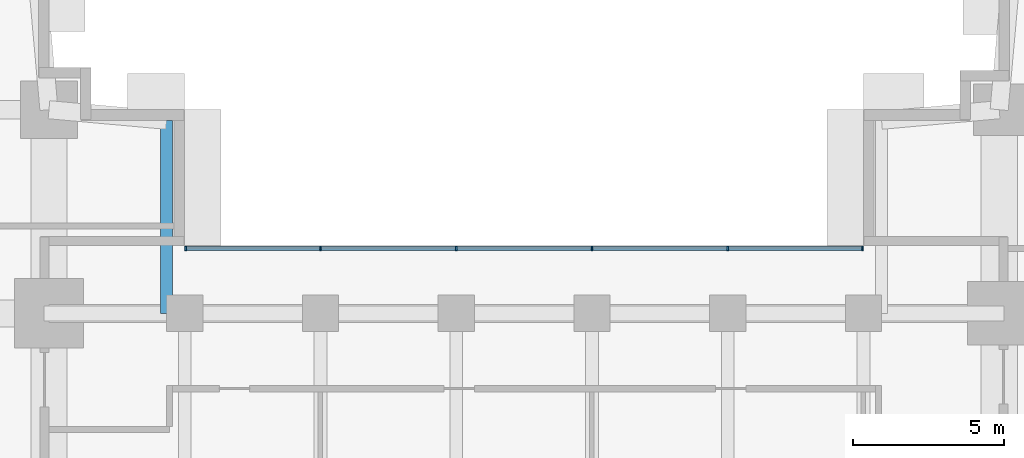
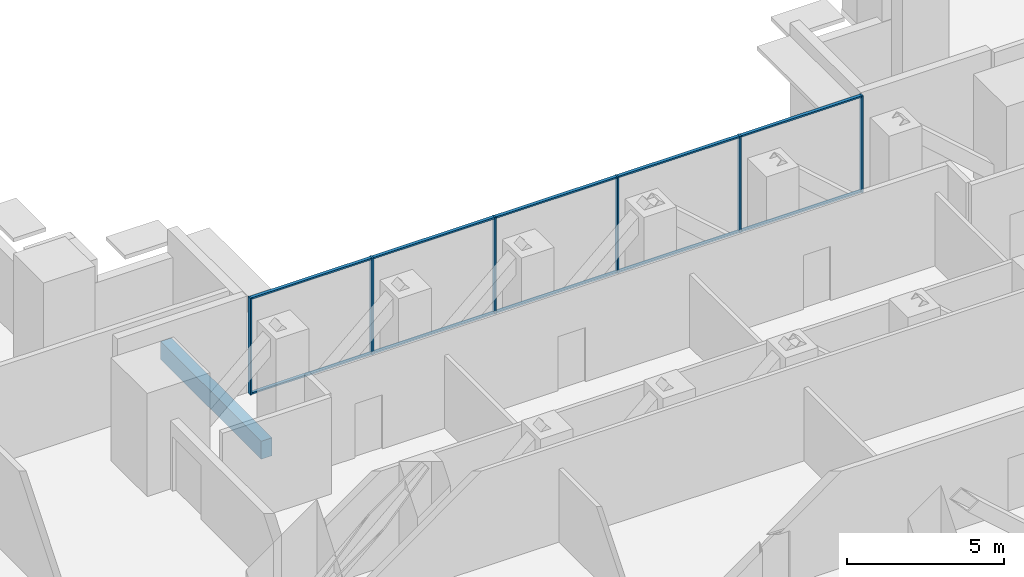
# One storey, part 4 of 16: 16 members, 1 beam, 1 element without a shape of its own.
"""IFC4 building model written with IfcOpenShell, lengths in metres."""

from ifc_helpers import new_model, si_unit, direction, frame, origin, origin_2d, place, context, subcontext, project, spatial, rectangle, extrude, material, layer, layer_set, material_profile, profile_set, type_object, element, aggregate, save


model = new_model("IFC4")

# Units and contexts
model_context = context("Model", 3, precision=1e-05, world=origin(), true_north=direction((0.0, 1.0)))
body_context = subcontext(model_context, "Body", "Model", "MODEL_VIEW")
ifc_project = project(units=[si_unit("LENGTHUNIT", "METRE"), si_unit("AREAUNIT", "SQUARE_METRE"), si_unit("VOLUMEUNIT", "CUBIC_METRE"), si_unit("PLANEANGLEUNIT", "RADIAN"), si_unit("MASSUNIT", "GRAM", prefix="KILO")], contexts=[model_context])

# Site, building, storey
site_placement = place(None, origin())
site = spatial("IfcSite", under=ifc_project, at=site_placement, CompositionType="ELEMENT")
building_placement = place(site_placement, origin())
building = spatial("IfcBuilding", under=site, at=building_placement, Name="Namib Vertical Campus", CompositionType="ELEMENT")
storey_placement = place(building_placement, frame((0.0, 0.0, 121.0)))
storey = spatial("IfcBuildingStorey", under=building, at=storey_placement, Name="L28", CompositionType="ELEMENT", Elevation=121.0)

# Curtain wall, members
ifc_material_1 = material(Name="Black aluminium curtain wall", Category="aluminium")
ifc_layer = layer(ifc_material_1, 0.199951171875)
ifc_layer_set = layer_set([ifc_layer], Name="Bridge curtain wall CW-BR")
curtain_wall_type = type_object("IfcCurtainWallType", Name="Bridge curtain wall CW-BR", PredefinedType="USERDEFINED", material=ifc_layer_set)
curtain_wall_placement = place(storey_placement, origin())
curtain_wall = element("IfcCurtainWall", 1, at=curtain_wall_placement, inside=storey, type_object=curtain_wall_type, Name="Curtain wall CW-BR L28 N", ObjectType="CURTAIN WALL", PredefinedType="USERDEFINED")
ifc_material_2 = material(Name="Black anodised aluminium", Category="aluminium")
ifc_material_profile_1 = material_profile(ifc_material_2, rectangle(XDim=0.06005859375, YDim=0.159912109375, at=origin_2d()))
ifc_profile_set_1 = profile_set([ifc_material_profile_1], Name="Black anodised aluminium")
member_type_1 = type_object("IfcMemberType", Name="Curtain wall mullion 60x160", PredefinedType="MULLION", material=ifc_profile_set_1)
member_1_placement = place(storey_placement, frame((62.969970703125, 31.39990234375, 0.0), z_axis=(0.0, 0.0, 1.0), x_axis=(-1.0, 0.0, 0.0)))
member_1 = element("IfcMember", 2, at=member_1_placement, type_object=member_type_1, Name="CW-BR mullion 1", PredefinedType="MULLION", context=body_context, shape_type="SweptSolid", body=[
    extrude(rectangle(XDim=0.06005859375, YDim=0.159912109375, at=origin_2d()), origin(), (0.0, 0.0, 1.0), 3.75),
])
member_2_placement = place(storey_placement, frame((58.5, 31.39990234375, 0.0), z_axis=(0.0, 0.0, 1.0), x_axis=(-1.0, 0.0, 0.0)))
member_2 = element("IfcMember", 3, at=member_2_placement, type_object=member_type_1, Name="CW-BR mullion 2", PredefinedType="MULLION", context=body_context, shape_type="SweptSolid", body=[
    extrude(rectangle(XDim=0.06005859375, YDim=0.159912109375, at=origin_2d()), origin(), (0.0, 0.0, 1.0), 3.75),
])
member_3_placement = place(storey_placement, frame((54.0, 31.39990234375, 0.0), z_axis=(0.0, 0.0, 1.0), x_axis=(-1.0, 0.0, 0.0)))
member_3 = element("IfcMember", 4, at=member_3_placement, type_object=member_type_1, Name="CW-BR mullion 3", PredefinedType="MULLION", context=body_context, shape_type="SweptSolid", body=[
    extrude(rectangle(XDim=0.06005859375, YDim=0.159912109375, at=origin_2d()), origin(), (0.0, 0.0, 1.0), 3.75),
])
member_4_placement = place(storey_placement, frame((49.5, 31.39990234375, 0.0), z_axis=(0.0, 0.0, 1.0), x_axis=(-1.0, 0.0, 0.0)))
member_4 = element("IfcMember", 5, at=member_4_placement, type_object=member_type_1, Name="CW-BR mullion 4", PredefinedType="MULLION", context=body_context, shape_type="SweptSolid", body=[
    extrude(rectangle(XDim=0.06005859375, YDim=0.159912109375, at=origin_2d()), origin(), (0.0, 0.0, 1.0), 3.75),
])
member_5_placement = place(storey_placement, frame((45.0, 31.39990234375, 0.0), z_axis=(0.0, 0.0, 1.0), x_axis=(-1.0, 0.0, 0.0)))
member_5 = element("IfcMember", 6, at=member_5_placement, type_object=member_type_1, Name="CW-BR mullion 5", PredefinedType="MULLION", context=body_context, shape_type="SweptSolid", body=[
    extrude(rectangle(XDim=0.06005859375, YDim=0.159912109375, at=origin_2d()), origin(), (0.0, 0.0, 1.0), 3.75),
])
member_6_placement = place(storey_placement, frame((40.530029296875, 31.39990234375, 0.0), z_axis=(0.0, 0.0, 1.0), x_axis=(-1.0, 0.0, 0.0)))
member_6 = element("IfcMember", 7, at=member_6_placement, type_object=member_type_1, Name="CW-BR mullion 6", PredefinedType="MULLION", context=body_context, shape_type="SweptSolid", body=[
    extrude(rectangle(XDim=0.06005859375, YDim=0.159912109375, at=origin_2d()), origin(), (0.0, 0.0, 1.0), 3.75),
])
ifc_material_3 = material(Name="Black anodised aluminium", Category="aluminium")
ifc_material_profile_2 = material_profile(ifc_material_3, rectangle(XDim=0.06005859375, YDim=0.1201171875, at=origin_2d()))
ifc_profile_set_2 = profile_set([ifc_material_profile_2], Name="Black anodised aluminium")
member_type_2 = type_object("IfcMemberType", Name="Curtain wall transom 60x120", PredefinedType="USERDEFINED", material=ifc_profile_set_2)
member_7_placement = place(storey_placement, frame((62.93994140625, 31.39990234375, 0.030029296875), z_axis=(-1.0, 0.0, 0.0), x_axis=(0.0, 0.0, 1.0)))
member_7 = element("IfcMember", 8, at=member_7_placement, type_object=member_type_2, Name="CW-BR transom 1.1", ObjectType="TRANSOM", PredefinedType="USERDEFINED", context=body_context, shape_type="SweptSolid", body=[
    extrude(rectangle(XDim=0.06005859375, YDim=0.1201171875, at=origin_2d()), origin(), (0.0, 0.0, 1.0), 4.409912109375),
])
member_8_placement = place(storey_placement, frame((62.93994140625, 31.39990234375, 3.719970703125), z_axis=(-1.0, 0.0, 0.0), x_axis=(0.0, 0.0, 1.0)))
member_8 = element("IfcMember", 9, at=member_8_placement, type_object=member_type_2, Name="CW-BR transom 1.2", ObjectType="TRANSOM", PredefinedType="USERDEFINED", context=body_context, shape_type="SweptSolid", body=[
    extrude(rectangle(XDim=0.06005859375, YDim=0.1201171875, at=origin_2d()), origin(), (0.0, 0.0, 1.0), 4.409912109375),
])
member_9_placement = place(storey_placement, frame((58.469970703125, 31.39990234375, 0.030029296875), z_axis=(-1.0, 0.0, 0.0), x_axis=(0.0, 0.0, 1.0)))
member_9 = element("IfcMember", 10, at=member_9_placement, type_object=member_type_2, Name="CW-BR transom 2.1", ObjectType="TRANSOM", PredefinedType="USERDEFINED", context=body_context, shape_type="SweptSolid", body=[
    extrude(rectangle(XDim=0.06005859375, YDim=0.1201171875, at=origin_2d()), origin(), (0.0, 0.0, 1.0), 4.43994140625),
])
member_10_placement = place(storey_placement, frame((58.469970703125, 31.39990234375, 3.719970703125), z_axis=(-1.0, 0.0, 0.0), x_axis=(0.0, 0.0, 1.0)))
member_10 = element("IfcMember", 11, at=member_10_placement, type_object=member_type_2, Name="CW-BR transom 2.2", ObjectType="TRANSOM", PredefinedType="USERDEFINED", context=body_context, shape_type="SweptSolid", body=[
    extrude(rectangle(XDim=0.06005859375, YDim=0.1201171875, at=origin_2d()), origin(), (0.0, 0.0, 1.0), 4.43994140625),
])
member_11_placement = place(storey_placement, frame((53.969970703125, 31.39990234375, 0.030029296875), z_axis=(-1.0, 0.0, 0.0), x_axis=(0.0, 0.0, 1.0)))
member_11 = element("IfcMember", 12, at=member_11_placement, type_object=member_type_2, Name="CW-BR transom 3.1", ObjectType="TRANSOM", PredefinedType="USERDEFINED", context=body_context, shape_type="SweptSolid", body=[
    extrude(rectangle(XDim=0.06005859375, YDim=0.1201171875, at=origin_2d()), origin(), (0.0, 0.0, 1.0), 4.43994140625),
])
member_12_placement = place(storey_placement, frame((53.969970703125, 31.39990234375, 3.719970703125), z_axis=(-1.0, 0.0, 0.0), x_axis=(0.0, 0.0, 1.0)))
member_12 = element("IfcMember", 13, at=member_12_placement, type_object=member_type_2, Name="CW-BR transom 3.2", ObjectType="TRANSOM", PredefinedType="USERDEFINED", context=body_context, shape_type="SweptSolid", body=[
    extrude(rectangle(XDim=0.06005859375, YDim=0.1201171875, at=origin_2d()), origin(), (0.0, 0.0, 1.0), 4.43994140625),
])
member_13_placement = place(storey_placement, frame((49.469970703125, 31.39990234375, 0.030029296875), z_axis=(-1.0, 0.0, 0.0), x_axis=(0.0, 0.0, 1.0)))
member_13 = element("IfcMember", 14, at=member_13_placement, type_object=member_type_2, Name="CW-BR transom 4.1", ObjectType="TRANSOM", PredefinedType="USERDEFINED", context=body_context, shape_type="SweptSolid", body=[
    extrude(rectangle(XDim=0.06005859375, YDim=0.1201171875, at=origin_2d()), origin(), (0.0, 0.0, 1.0), 4.43994140625),
])
member_14_placement = place(storey_placement, frame((49.469970703125, 31.39990234375, 3.719970703125), z_axis=(-1.0, 0.0, 0.0), x_axis=(0.0, 0.0, 1.0)))
member_14 = element("IfcMember", 15, at=member_14_placement, type_object=member_type_2, Name="CW-BR transom 4.2", ObjectType="TRANSOM", PredefinedType="USERDEFINED", context=body_context, shape_type="SweptSolid", body=[
    extrude(rectangle(XDim=0.06005859375, YDim=0.1201171875, at=origin_2d()), origin(), (0.0, 0.0, 1.0), 4.43994140625),
])
member_15_placement = place(storey_placement, frame((44.969970703125, 31.39990234375, 0.030029296875), z_axis=(-1.0, 0.0, 0.0), x_axis=(0.0, 0.0, 1.0)))
member_15 = element("IfcMember", 16, at=member_15_placement, type_object=member_type_2, Name="CW-BR transom 5.1", ObjectType="TRANSOM", PredefinedType="USERDEFINED", context=body_context, shape_type="SweptSolid", body=[
    extrude(rectangle(XDim=0.06005859375, YDim=0.1201171875, at=origin_2d()), origin(), (0.0, 0.0, 1.0), 4.409912109375),
])
member_16_placement = place(storey_placement, frame((44.969970703125, 31.39990234375, 3.719970703125), z_axis=(-1.0, 0.0, 0.0), x_axis=(0.0, 0.0, 1.0)))
member_16 = element("IfcMember", 17, at=member_16_placement, type_object=member_type_2, Name="CW-BR transom 5.2", ObjectType="TRANSOM", PredefinedType="USERDEFINED", context=body_context, shape_type="SweptSolid", body=[
    extrude(rectangle(XDim=0.06005859375, YDim=0.1201171875, at=origin_2d()), origin(), (0.0, 0.0, 1.0), 4.409912109375),
])
aggregate(curtain_wall, [member_1, member_2, member_3, member_4, member_5, member_6, member_7, member_8, member_9, member_10, member_11, member_12, member_13, member_14, member_15, member_16])

# Beam
ifc_material_4 = material(Name="Concrete C40/50", Category="concrete")
ifc_material_profile_3 = material_profile(ifc_material_4, rectangle(XDim=0.39990234375, YDim=0.699951171875, at=origin_2d()))
ifc_profile_set_3 = profile_set([ifc_material_profile_3], Name="Concrete C40/50")
beam_type = type_object("IfcBeamType", Name="Edge beam RC 400x700", PredefinedType="SPANDREL", material=ifc_profile_set_3)
beam_placement = place(storey_placement, frame((39.89990234375, 29.25, -0.60009765625), z_axis=(0.0, 1.0, 0.0), x_axis=(-1.0, 0.0, 0.0)))
element("IfcBeam", 18, at=beam_placement, inside=storey, type_object=beam_type, Name="Beam B4 L28", PredefinedType="SPANDREL", context=body_context, shape_type="SweptSolid", body=[
    extrude(rectangle(XDim=0.39990234375, YDim=0.699951171875, at=origin_2d()), origin(), (0.0, 0.0, 1.0), 6.39990234375),
])

save(model, "model.ifc")
